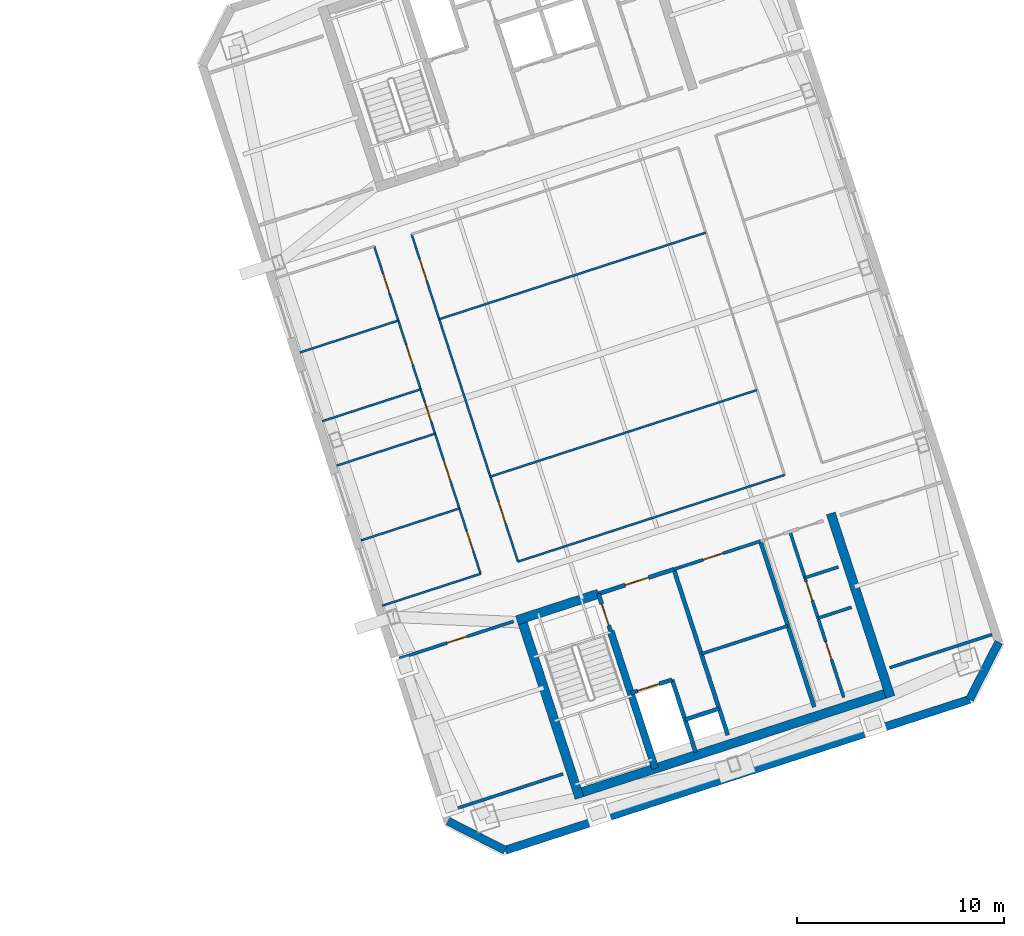
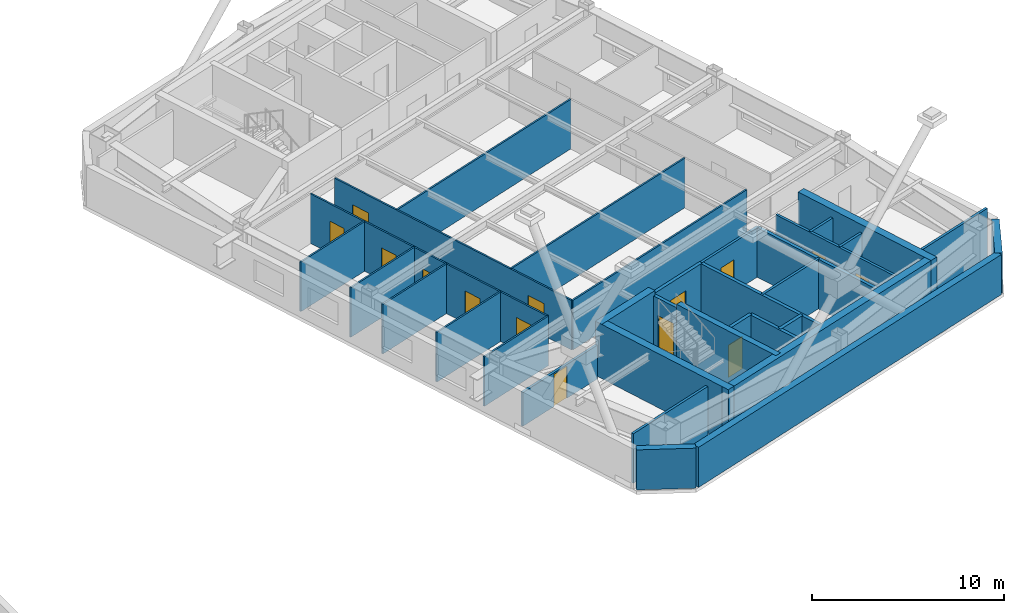
# One storey, part 9 of 15: 33 walls, 14 doors, 14 openings.
"""IFC4 building model written with IfcOpenShell, lengths in metres."""

from ifc_helpers import new_model, si_unit, direction, frame, frame_2d, origin, place, context, subcontext, project, spatial, rectangle, extrude, material, layer, layer_set, type_object, element, fill, save


model = new_model("IFC4")

# Units and contexts
model_context = context("Model", 3, precision=1e-05, world=origin(), true_north=direction((0.0, 1.0)))
body_context = subcontext(model_context, "Body", "Model", "MODEL_VIEW")
ifc_project = project(units=[si_unit("LENGTHUNIT", "METRE"), si_unit("AREAUNIT", "SQUARE_METRE"), si_unit("VOLUMEUNIT", "CUBIC_METRE"), si_unit("PLANEANGLEUNIT", "RADIAN"), si_unit("MASSUNIT", "GRAM", prefix="KILO")], contexts=[model_context])

# Site, building, storey
site_placement = place(None, origin())
site = spatial("IfcSite", under=ifc_project, at=site_placement, CompositionType="ELEMENT")
building_placement = place(site_placement, origin())
building = spatial("IfcBuilding", under=site, at=building_placement, Name="Qiaolan Cultural Towers", CompositionType="ELEMENT")
storey_placement = place(building_placement, frame((0.0, 0.0, 212.75)))
storey = spatial("IfcBuildingStorey", under=building, at=storey_placement, Name="L57", CompositionType="ELEMENT", Elevation=212.75)

# Walls
ifc_material_1 = material(Name="Concrete C50", Category="concrete")
ifc_layer_1 = layer(ifc_material_1, 0.35009765625)
ifc_layer_set_1 = layer_set([ifc_layer_1], Name="Concrete C50")
wall_type_1 = type_object("IfcWallType", Name="WL-CORE-350", PredefinedType="SHEAR", material=ifc_layer_set_1)
wall_1_placement = place(storey_placement, frame((90.486328125, 20.59423828125, 0.0), z_axis=(0.0, 0.0, 1.0), x_axis=(0.309020428229, -0.951055400562, 0.0)))
element("IfcWall", 1, at=wall_1_placement, inside=storey, type_object=wall_type_1, Name="L57 T2-CS Stair Core Dividing Web", PredefinedType="SHEAR", context=body_context, shape_type="SweptSolid", body=[
    extrude(rectangle(XDim=6.97998046875, YDim=0.35009765625, at=frame_2d((3.489990234375, 0.0))), origin(), (0.0, 0.0, 1.0), 3.449951171875),
])
ifc_material_2 = material(Name="Concrete C50", Category="concrete")
ifc_layer_2 = layer(ifc_material_2, 0.449951171875)
ifc_layer_set_2 = layer_set([ifc_layer_2], Name="Concrete C50")
wall_type_2 = type_object("IfcWallType", Name="WL-CORE-450", PredefinedType="SHEAR", material=ifc_layer_set_2)
wall_2_placement = place(storey_placement, frame((88.701171875, 12.675048828125, 0.0), z_axis=(0.0, 0.0, 1.0), x_axis=(0.95105824505, 0.309011673763, 0.0)))
element("IfcWall", 2, at=wall_2_placement, inside=storey, type_object=wall_type_2, Name="L57 T2-CS Outer Core Shear Wall", PredefinedType="SHEAR", context=body_context, shape_type="SweptSolid", body=[
    extrude(rectangle(XDim=16.250244140625, YDim=0.449951171875, at=frame_2d((8.125, 0.0))), origin(), (0.0, 0.0, 1.0), 3.449951171875),
])
for number, where, z_axis, x_axis, name in (
    (3, (86.1015625, 21.40380859375, 0.0), (0.0, 0.0, 1.0), (0.309035778627, -0.951050412717, 0.0), "L57 T2-CS West Core Shear Wall"),
    (4, (101.12841796875, 26.286376953125, 0.0), (0.0, 0.0, 1.0), (0.309004419953, -0.951060601881, 0.0), "L57 T2-CS East Core Shear Wall"),
):
    element("IfcWall", number, at=place(storey_placement, frame(where, z_axis=z_axis, x_axis=x_axis)), inside=storey, type_object=wall_type_2, Name=name, PredefinedType="SHEAR", context=body_context, shape_type="SweptSolid", body=[
        extrude(rectangle(XDim=9.330078125, YDim=0.449951171875, at=frame_2d((4.6650390625, 0.0))), origin(), (0.0, 0.0, 1.0), 3.449951171875),
    ])
wall_3_placement = place(storey_placement, frame((85.957275390625, 21.120361328125, 0.0), z_axis=(0.0, 0.0, 1.0), x_axis=(0.951064796122, 0.308991510526, 0.0)))
element("IfcWall", 5, at=wall_3_placement, inside=storey, type_object=wall_type_2, Name="L57 T2-CS Stair Front Shear Wall", PredefinedType="SHEAR", context=body_context, shape_type="SweptSolid", body=[
    extrude(rectangle(XDim=4.14501953125, YDim=0.449951171875, at=frame_2d((2.072509765625, 0.0))), origin(), (0.0, 0.0, 1.0), 3.449951171875),
])
ifc_material_3 = material(Name="Precast Concrete C50 Honed Stone Pier", Category="masonry")
ifc_layer_3 = layer(ifc_material_3, 0.39990234375)
ifc_layer_set_3 = layer_set([ifc_layer_3], Name="Precast Concrete C50 Honed Stone Pier")
wall_type_3 = type_object("IfcWallType", Name="WL-EXT-PIER-400", PredefinedType="SOLIDWALL", material=ifc_layer_set_3)
wall_4_placement = place(storey_placement, frame((109.247802734375, 20.06591796875, 0.0), z_axis=(0.0, 0.0, 1.0), x_axis=(-0.453949291228, -0.891027519774, 0.0)))
element("IfcWall", 6, at=wall_4_placement, inside=storey, type_object=wall_type_3, Name="L57 East Tower Precast Pier Facade Wall F6", PredefinedType="SOLIDWALL", context=body_context, shape_type="SweptSolid", body=[
    extrude(rectangle(XDim=3.111328125, YDim=0.39990234375, at=frame_2d((1.5556640625, 0.0))), origin(), (0.0, 0.0, 1.0), 2.550048828125),
])
wall_5_placement = place(storey_placement, frame((107.83544921875, 17.293701171875, 0.0), z_axis=(0.0, 0.0, 1.0), x_axis=(-0.951058012937, -0.309012388148, 0.0)))
element("IfcWall", 7, at=wall_5_placement, inside=storey, type_object=wall_type_3, Name="L57 East Tower Precast Pier Facade Wall F7", PredefinedType="SOLIDWALL", context=body_context, shape_type="SweptSolid", body=[
    extrude(rectangle(XDim=23.60009765625, YDim=0.39990234375, at=frame_2d((11.800048828125, 0.0))), origin(), (0.0, 0.0, 1.0), 2.550048828125),
])
wall_6_placement = place(storey_placement, frame((85.390380859375, 10.0009765625, 0.0), z_axis=(0.0, 0.0, 1.0), x_axis=(-0.890979603174, 0.454043331334, 0.0)))
element("IfcWall", 8, at=wall_6_placement, inside=storey, type_object=wall_type_3, Name="L57 East Tower Precast Pier Facade Wall F8", PredefinedType="SOLIDWALL", context=body_context, shape_type="SweptSolid", body=[
    extrude(rectangle(XDim=3.111083984375, YDim=0.39990234375, at=frame_2d((1.5556640625, 0.0))), origin(), (0.0, 0.0, 1.0), 2.550048828125),
])

# Wall, opening, door
ifc_material_4 = material(Name="Concrete C35 Fire Wall", Category="concrete")
ifc_layer_4 = layer(ifc_material_4, 0.199951171875)
ifc_layer_set_4 = layer_set([ifc_layer_4], Name="Concrete C35 Fire Wall")
wall_type_4 = type_object("IfcWallType", Name="WL-FIRE-200", PredefinedType="PARTITIONING", material=ifc_layer_set_4)
wall_7_placement = place(storey_placement, frame((89.8994140625, 22.401123046875, 0.0), z_axis=(0.0, 0.0, 1.0), x_axis=(0.308932062672, -0.951084108086, 0.0)))
wall_7 = element("IfcWall", 9, at=wall_7_placement, inside=storey, type_object=wall_type_4, Name="L57 T2-CS Smokeproof Stair Entry Wall", PredefinedType="PARTITIONING", context=body_context, shape_type="SweptSolid", body=[
    extrude(rectangle(XDim=1.89990234375, YDim=0.199951171875, at=frame_2d((0.949951171875, 0.0))), origin(), (0.0, 0.0, 1.0), 3.155029296875),
])
opening_1_placement = place(wall_7_placement, frame((0.52001953125, 0.0, 0.0)))
opening_1 = element("IfcOpeningElement", 10, at=opening_1_placement, cuts=wall_7, Name="Opening FD-04", PredefinedType="OPENING", context=body_context, shape_type="SweptSolid", body=[
    extrude(rectangle(XDim=1.10009765625, YDim=2.050048828125, at=frame_2d((0.550048828125, 1.02490234375))), frame((0.0, 0.10986328125, 0.0), z_axis=(0.0, -1.0, 0.0), x_axis=(1.0, 0.0, 0.0)), (0.0, 0.0, 1.0), 0.219970703125),
])
ifc_material_5 = material(Name="Galvanized Steel Command Fire Door", Category="steel")
door_type_1 = type_object("IfcDoorType", Name="DR-FD90-1100", OperationType="NOTDEFINED", PredefinedType="DOOR", material=ifc_material_5)
door_1_placement = place(opening_1_placement, origin())
door_1 = element("IfcDoor", 11, at=door_1_placement, inside=storey, type_object=door_type_1, Name="L57 ST-E1 Smokeproof Stair Fire Door", OperationType="SINGLE_SWING_LEFT", OverallHeight=2.050048828125, OverallWidth=1.10009765625, PredefinedType="DOOR", context=body_context, shape_type="SweptSolid", body=[
    extrude(rectangle(XDim=1.10009765625, YDim=2.050048828125, at=frame_2d((0.550048828125, 1.02490234375))), frame((0.0, 0.02490234375, 0.0), z_axis=(0.0, -1.0, 0.0), x_axis=(1.0, 0.0, 0.0)), (0.0, 0.0, 1.0), 0.050048828125),
])
fill(opening_1, door_1)

# Wall
wall_8_placement = place(storey_placement, frame((93.541748046875, 23.584716796875, 0.0), z_axis=(0.0, 0.0, 1.0), x_axis=(0.309042196757, -0.951048327176, 0.0)))
element("IfcWall", 12, at=wall_8_placement, inside=storey, type_object=wall_type_4, Name="L57 T2-CS Firefighting Zone Wall", PredefinedType="PARTITIONING", context=body_context, shape_type="SweptSolid", body=[
    extrude(rectangle(XDim=8.429931640625, YDim=0.199951171875, at=frame_2d((4.21484375, 0.0))), origin(), (0.0, 0.0, 1.0), 3.155029296875),
])

# Wall, opening, door
wall_9_placement = place(storey_placement, frame((89.8994140625, 22.401123046875, 0.0), z_axis=(0.0, 0.0, 1.0), x_axis=(0.951046716504, 0.309047153403, 0.0)))
wall_9 = element("IfcWall", 13, at=wall_9_placement, inside=storey, type_object=wall_type_4, Name="L57 T2-CS Firefighting Lobby Front Wall", PredefinedType="PARTITIONING", context=body_context, shape_type="SweptSolid", body=[
    extrude(rectangle(XDim=3.829833984375, YDim=0.199951171875, at=frame_2d((1.9150390625, 0.0))), origin(), (0.0, 0.0, 1.0), 3.155029296875),
])
opening_2_placement = place(wall_9_placement, frame((1.35009765625, 0.0, 0.0)))
opening_2 = element("IfcOpeningElement", 14, at=opening_2_placement, cuts=wall_9, Name="Opening FD-03", PredefinedType="OPENING", context=body_context, shape_type="SweptSolid", body=[
    extrude(rectangle(XDim=1.199951171875, YDim=2.050048828125, at=frame_2d((0.60009765625, 1.02490234375))), frame((0.0, 0.10986328125, 0.0), z_axis=(0.0, -1.0, 0.0), x_axis=(1.0, 0.0, 0.0)), (0.0, 0.0, 1.0), 0.219970703125),
])
ifc_material_6 = material(Name="Galvanized Steel Smokeproof Lobby Fire Door", Category="steel")
door_type_2 = type_object("IfcDoorType", Name="DR-FD90-1200", OperationType="NOTDEFINED", PredefinedType="DOOR", material=ifc_material_6)
door_2_placement = place(opening_2_placement, origin())
door_2 = element("IfcDoor", 15, at=door_2_placement, inside=storey, type_object=door_type_2, Name="L57 FFL-E1 Firefighting Lobby Fire Door", OperationType="SINGLE_SWING_LEFT", OverallHeight=2.050048828125, OverallWidth=1.199951171875, PredefinedType="DOOR", context=body_context, shape_type="SweptSolid", body=[
    extrude(rectangle(XDim=1.199951171875, YDim=2.050048828125, at=frame_2d((0.60009765625, 1.02490234375))), frame((0.0, 0.02490234375, 0.0), z_axis=(0.0, -1.0, 0.0), x_axis=(1.0, 0.0, 0.0)), (0.0, 0.0, 1.0), 0.050048828125),
])
fill(opening_2, door_2)

wall_10_placement = place(storey_placement, frame((91.459716796875, 17.598388671875, 0.0), z_axis=(0.0, 0.0, 1.0), x_axis=(0.951062257173, 0.308999325213, 0.0)))
wall_10 = element("IfcWall", 16, at=wall_10_placement, inside=storey, type_object=wall_type_4, Name="L57 T2-CS Firefighting Shaft Front Wall", PredefinedType="PARTITIONING", context=body_context, shape_type="SweptSolid", body=[
    extrude(rectangle(XDim=2.10009765625, YDim=0.199951171875, at=frame_2d((1.050048828125, 0.0))), origin(), (0.0, 0.0, 1.0), 3.155029296875),
])
opening_3_placement = place(wall_10_placement, frame((0.35009765625, 0.0, 0.0)))
opening_3 = element("IfcOpeningElement", 17, at=opening_3_placement, cuts=wall_10, Name="Opening LD-01", PredefinedType="OPENING", context=body_context, shape_type="SweptSolid", body=[
    extrude(rectangle(XDim=1.10009765625, YDim=2.050048828125, at=frame_2d((0.550048828125, 1.02490234375))), frame((0.0, 0.10986328125, 0.0), z_axis=(0.0, -1.0, 0.0), x_axis=(1.0, 0.0, 0.0)), (0.0, 0.0, 1.0), 0.219970703125),
])
ifc_material_7 = material(Name="Brushed Stainless Steel S30408 Centre-Parting Lift Landing Door", Category="steel")
door_type_3 = type_object("IfcDoorType", Name="DR-LIFT-1100", OperationType="NOTDEFINED", PredefinedType="DOOR", material=ifc_material_7)
door_3_placement = place(opening_3_placement, origin())
door_3 = element("IfcDoor", 18, at=door_3_placement, inside=storey, type_object=door_type_3, Name="L57 FFL-E1 Firefighting Lift Landing Door", OperationType="DOUBLE_DOOR_SLIDING", OverallHeight=2.050048828125, OverallWidth=1.10009765625, PredefinedType="DOOR", context=body_context, shape_type="SweptSolid", body=[
    extrude(rectangle(XDim=1.10009765625, YDim=2.050048828125, at=frame_2d((0.550048828125, 1.02490234375))), frame((0.0, 0.02490234375, 0.0), z_axis=(0.0, -1.0, 0.0), x_axis=(1.0, 0.0, 0.0)), (0.0, 0.0, 1.0), 0.050048828125),
])
fill(opening_3, door_3)

# Walls
wall_11_placement = place(storey_placement, frame((93.45703125, 18.247314453125, 0.0), z_axis=(0.0, 0.0, 1.0), x_axis=(0.3089935693, -0.951064127245, 0.0)))
element("IfcWall", 19, at=wall_11_placement, inside=storey, type_object=wall_type_4, Name="L57 T2-CS Firefighting Hoistway East Wall", PredefinedType="PARTITIONING", context=body_context, shape_type="SweptSolid", body=[
    extrude(rectangle(XDim=3.7001953125, YDim=0.199951171875, at=frame_2d((1.85009765625, 0.0))), origin(), (0.0, 0.0, 1.0), 3.155029296875),
])
wall_12_placement = place(storey_placement, frame((94.08447265625, 16.316650390625, 0.0), z_axis=(0.0, 0.0, 1.0), x_axis=(0.951041328149, 0.309063734775, 0.0)))
element("IfcWall", 20, at=wall_12_placement, inside=storey, type_object=wall_type_4, Name="L57 T2-CS Pressurization Shaft Front Wall", PredefinedType="PARTITIONING", context=body_context, shape_type="SweptSolid", body=[
    extrude(rectangle(XDim=1.72998046875, YDim=0.199951171875, at=frame_2d((0.864990234375, 0.0))), origin(), (0.0, 0.0, 1.0), 3.155029296875),
])
wall_13_placement = place(storey_placement, frame((97.7265625, 24.9443359375, 0.0), z_axis=(0.0, 0.0, 1.0), x_axis=(0.309016001439, -0.951056838919, 0.0)))
element("IfcWall", 21, at=wall_13_placement, inside=storey, type_object=wall_type_4, Name="L57 T2-CS Lift Core East Wall", PredefinedType="PARTITIONING", context=body_context, shape_type="SweptSolid", body=[
    extrude(rectangle(XDim=8.429931640625, YDim=0.199951171875, at=frame_2d((4.21484375, 0.0))), origin(), (0.0, 0.0, 1.0), 3.155029296875),
])
ifc_material_8 = material(Name="Acoustic Double-Glazed Partition Frame", Category="glass")
ifc_layer_5 = layer(ifc_material_8, 0.10009765625)
ifc_layer_set_5 = layer_set([ifc_layer_5], Name="Acoustic Double-Glazed Partition Frame")
wall_type_5 = type_object("IfcWallType", Name="WL-GLAZED-100", PredefinedType="MOVABLE", material=ifc_layer_set_5)
wall_14_placement = place(storey_placement, frame((79.446533203125, 21.82275390625, 0.0), z_axis=(0.0, 0.0, 1.0), x_axis=(0.951048779938, 0.309040803421, 0.0)))
element("IfcWall", 22, at=wall_14_placement, inside=storey, type_object=wall_type_5, Name="L57 T2 Interior Wall", PredefinedType="MOVABLE", context=body_context, shape_type="SweptSolid", body=[
    extrude(rectangle(XDim=4.999755859375, YDim=0.10009765625, at=frame_2d((2.5, 0.0))), origin(), (0.0, 0.0, 1.0), 3.155029296875),
])
wall_15_placement = place(storey_placement, frame((86.0087890625, 23.955078125, 0.0), z_axis=(0.0, 0.0, 1.0), x_axis=(0.951059488241, 0.309007847517, 0.0)))
element("IfcWall", 23, at=wall_15_placement, inside=storey, type_object=wall_type_5, Name="L57 T2 Interior Wall", PredefinedType="MOVABLE", context=body_context, shape_type="SweptSolid", body=[
    extrude(rectangle(XDim=13.5498046875, YDim=0.10009765625, at=frame_2d((6.77490234375, 0.0))), origin(), (0.0, 0.0, 1.0), 3.155029296875),
])

# Wall, openings, doors
wall_16_placement = place(storey_placement, frame((84.20166015625, 23.367919921875, 0.0), z_axis=(0.0, 0.0, 1.0), x_axis=(-0.309022042254, 0.951054876125, 0.0)))
wall_16 = element("IfcWall", 24, at=wall_16_placement, inside=storey, type_object=wall_type_5, Name="L57 T2 Interior Wall", PredefinedType="MOVABLE", context=body_context, shape_type="SweptSolid", body=[
    extrude(rectangle(XDim=16.639892578125, YDim=0.10009765625, at=frame_2d((8.31982421875, 0.0))), origin(), (0.0, 0.0, 1.0), 3.155029296875),
])
opening_4_placement = place(wall_16_placement, frame((1.159912109375, 0.0, 0.0)))
opening_4 = element("IfcOpeningElement", 25, at=opening_4_placement, cuts=wall_16, Name="Opening ID-04", PredefinedType="OPENING", context=body_context, shape_type="SweptSolid", body=[
    extrude(rectangle(XDim=1.0, YDim=2.050048828125, at=frame_2d((0.5, 1.02490234375))), frame((0.0, 0.06005859375, 0.0), z_axis=(0.0, -1.0, 0.0), x_axis=(1.0, 0.0, 0.0)), (0.0, 0.0, 1.0), 0.1201171875),
])
opening_5_placement = place(wall_16_placement, frame((4.719970703125, 0.0, 0.0)))
opening_5 = element("IfcOpeningElement", 26, at=opening_5_placement, cuts=wall_16, Name="Opening ID-07", PredefinedType="OPENING", context=body_context, shape_type="SweptSolid", body=[
    extrude(rectangle(XDim=1.050048828125, YDim=2.050048828125, at=frame_2d((0.52490234375, 1.02490234375))), frame((0.0, 0.06005859375, 0.0), z_axis=(0.0, -1.0, 0.0), x_axis=(1.0, 0.0, 0.0)), (0.0, 0.0, 1.0), 0.1201171875),
])
opening_6_placement = place(wall_16_placement, frame((7.748046875, 0.0, 0.0)))
opening_6 = element("IfcOpeningElement", 27, at=opening_6_placement, cuts=wall_16, Name="Opening ID-04", PredefinedType="OPENING", context=body_context, shape_type="SweptSolid", body=[
    extrude(rectangle(XDim=1.0, YDim=2.050048828125, at=frame_2d((0.5, 1.02490234375))), frame((0.0, 0.06005859375, 0.0), z_axis=(0.0, -1.0, 0.0), x_axis=(1.0, 0.0, 0.0)), (0.0, 0.0, 1.0), 0.1201171875),
])
opening_7_placement = place(wall_16_placement, frame((10.623291015625, 0.0, 0.0)))
opening_7 = element("IfcOpeningElement", 28, at=opening_7_placement, cuts=wall_16, Name="Opening ID-04", PredefinedType="OPENING", context=body_context, shape_type="SweptSolid", body=[
    extrude(rectangle(XDim=1.0, YDim=2.050048828125, at=frame_2d((0.5, 1.02490234375))), frame((0.0, 0.06005859375, 0.0), z_axis=(0.0, -1.0, 0.0), x_axis=(1.0, 0.0, 0.0)), (0.0, 0.0, 1.0), 0.1201171875),
])
opening_8_placement = place(wall_16_placement, frame((14.25537109375, 0.0, 0.0)))
opening_8 = element("IfcOpeningElement", 29, at=opening_8_placement, cuts=wall_16, Name="Opening ID-04", PredefinedType="OPENING", context=body_context, shape_type="SweptSolid", body=[
    extrude(rectangle(XDim=1.0, YDim=2.050048828125, at=frame_2d((0.5, 1.02490234375))), frame((0.0, 0.06005859375, 0.0), z_axis=(0.0, -1.0, 0.0), x_axis=(1.0, 0.0, 0.0)), (0.0, 0.0, 1.0), 0.1201171875),
])
ifc_material_9 = material(Name="Oak Veneer Acoustic Office Door", Category="timber")
door_type_4 = type_object("IfcDoorType", Name="DR-INT-1000", OperationType="NOTDEFINED", PredefinedType="DOOR", material=ifc_material_9)
door_4_placement = place(opening_4_placement, origin())
door_4 = element("IfcDoor", 30, at=door_4_placement, inside=storey, type_object=door_type_4, Name="L57 T2 Wellness & Meditation Room Door", OperationType="SINGLE_SWING_LEFT", OverallHeight=2.050048828125, OverallWidth=1.0, PredefinedType="DOOR", context=body_context, shape_type="SweptSolid", body=[
    extrude(rectangle(XDim=1.0, YDim=2.050048828125, at=frame_2d((0.5, 1.02490234375))), frame((0.0, 0.02490234375, 0.0), z_axis=(0.0, -1.0, 0.0), x_axis=(1.0, 0.0, 0.0)), (0.0, 0.0, 1.0), 0.050048828125),
])
fill(opening_4, door_4)
door_5_placement = place(opening_6_placement, origin())
door_5 = element("IfcDoor", 31, at=door_5_placement, inside=storey, type_object=door_type_4, Name="L57 T2 Tea Preparation Room Door", OperationType="SINGLE_SWING_LEFT", OverallHeight=2.050048828125, OverallWidth=1.0, PredefinedType="DOOR", context=body_context, shape_type="SweptSolid", body=[
    extrude(rectangle(XDim=1.0, YDim=2.050048828125, at=frame_2d((0.5, 1.02490234375))), frame((0.0, 0.02490234375, 0.0), z_axis=(0.0, -1.0, 0.0), x_axis=(1.0, 0.0, 0.0)), (0.0, 0.0, 1.0), 0.050048828125),
])
fill(opening_6, door_5)
door_6_placement = place(opening_7_placement, origin())
door_6 = element("IfcDoor", 32, at=door_6_placement, inside=storey, type_object=door_type_4, Name="L57 T2 Tea Preparation Room Door", OperationType="SINGLE_SWING_RIGHT", OverallHeight=2.050048828125, OverallWidth=1.0, PredefinedType="DOOR", context=body_context, shape_type="SweptSolid", body=[
    extrude(rectangle(XDim=1.0, YDim=2.050048828125, at=frame_2d((0.5, 1.02490234375))), frame((0.0, 0.02490234375, 0.0), z_axis=(0.0, -1.0, 0.0), x_axis=(1.0, 0.0, 0.0)), (0.0, 0.0, 1.0), 0.050048828125),
])
fill(opening_7, door_6)
door_7_placement = place(opening_8_placement, origin())
door_7 = element("IfcDoor", 33, at=door_7_placement, inside=storey, type_object=door_type_4, Name="L57 T2 Quiet Lounge Door", OperationType="SINGLE_SWING_LEFT", OverallHeight=2.050048828125, OverallWidth=1.0, PredefinedType="DOOR", context=body_context, shape_type="SweptSolid", body=[
    extrude(rectangle(XDim=1.0, YDim=2.050048828125, at=frame_2d((0.5, 1.02490234375))), frame((0.0, 0.02490234375, 0.0), z_axis=(0.0, -1.0, 0.0), x_axis=(1.0, 0.0, 0.0)), (0.0, 0.0, 1.0), 0.050048828125),
])
fill(opening_8, door_7)
ifc_material_10 = material(Name="Oak Veneer Consultation Door", Category="timber")
door_type_5 = type_object("IfcDoorType", Name="DR-INT-1050", OperationType="NOTDEFINED", PredefinedType="DOOR", material=ifc_material_10)
door_8_placement = place(opening_5_placement, origin())
door_8 = element("IfcDoor", 34, at=door_8_placement, inside=storey, type_object=door_type_5, Name="L57 T2 Wellness & Meditation Room Door", OperationType="SINGLE_SWING_RIGHT", OverallHeight=2.050048828125, OverallWidth=1.050048828125, PredefinedType="DOOR", context=body_context, shape_type="SweptSolid", body=[
    extrude(rectangle(XDim=1.050048828125, YDim=2.050048828125, at=frame_2d((0.52490234375, 1.02490234375))), frame((0.0, 0.02490234375, 0.0), z_axis=(0.0, -1.0, 0.0), x_axis=(1.0, 0.0, 0.0)), (0.0, 0.0, 1.0), 0.050048828125),
])
fill(opening_5, door_8)

wall_17_placement = place(storey_placement, frame((86.0087890625, 23.955078125, 0.0), z_axis=(0.0, 0.0, 1.0), x_axis=(-0.309022042254, 0.951054876125, 0.0)))
wall_17 = element("IfcWall", 35, at=wall_17_placement, inside=storey, type_object=wall_type_5, Name="L57 T2 Interior Wall", PredefinedType="MOVABLE", context=body_context, shape_type="SweptSolid", body=[
    extrude(rectangle(XDim=16.639892578125, YDim=0.10009765625, at=frame_2d((8.31982421875, 0.0))), origin(), (0.0, 0.0, 1.0), 3.155029296875),
])
opening_9_placement = place(wall_17_placement, frame((1.944091796875, 0.0, 0.0)))
opening_9 = element("IfcOpeningElement", 36, at=opening_9_placement, cuts=wall_17, Name="Opening ID-03", PredefinedType="OPENING", context=body_context, shape_type="SweptSolid", body=[
    extrude(rectangle(XDim=1.10009765625, YDim=2.050048828125, at=frame_2d((0.550048828125, 1.02490234375))), frame((0.0, 0.06005859375, 0.0), z_axis=(0.0, -1.0, 0.0), x_axis=(1.0, 0.0, 0.0)), (0.0, 0.0, 1.0), 0.1201171875),
])
opening_10_placement = place(wall_17_placement, frame((14.263916015625, 0.0, 0.0)))
opening_10 = element("IfcOpeningElement", 37, at=opening_10_placement, cuts=wall_17, Name="Opening ID-03", PredefinedType="OPENING", context=body_context, shape_type="SweptSolid", body=[
    extrude(rectangle(XDim=1.10009765625, YDim=2.050048828125, at=frame_2d((0.550048828125, 1.02490234375))), frame((0.0, 0.06005859375, 0.0), z_axis=(0.0, -1.0, 0.0), x_axis=(1.0, 0.0, 0.0)), (0.0, 0.0, 1.0), 0.1201171875),
])
ifc_material_11 = material(Name="Oak Veneer Solid-Core Boardroom Door", Category="timber")
door_type_6 = type_object("IfcDoorType", Name="DR-INT-1100", OperationType="NOTDEFINED", PredefinedType="DOOR", material=ifc_material_11)
door_9_placement = place(opening_9_placement, origin())
door_9 = element("IfcDoor", 38, at=door_9_placement, inside=storey, type_object=door_type_6, Name="L57 T2 Central Boardroom Door", OperationType="SINGLE_SWING_LEFT", OverallHeight=2.050048828125, OverallWidth=1.10009765625, PredefinedType="DOOR", context=body_context, shape_type="SweptSolid", body=[
    extrude(rectangle(XDim=1.10009765625, YDim=2.050048828125, at=frame_2d((0.550048828125, 1.02490234375))), frame((0.0, 0.02490234375, 0.0), z_axis=(0.0, -1.0, 0.0), x_axis=(1.0, 0.0, 0.0)), (0.0, 0.0, 1.0), 0.050048828125),
])
fill(opening_9, door_9)
door_10_placement = place(opening_10_placement, origin())
door_10 = element("IfcDoor", 39, at=door_10_placement, inside=storey, type_object=door_type_6, Name="L57 T2 Central Archive Room Door", OperationType="SINGLE_SWING_RIGHT", OverallHeight=2.050048828125, OverallWidth=1.10009765625, PredefinedType="DOOR", context=body_context, shape_type="SweptSolid", body=[
    extrude(rectangle(XDim=1.10009765625, YDim=2.050048828125, at=frame_2d((0.550048828125, 1.02490234375))), frame((0.0, 0.02490234375, 0.0), z_axis=(0.0, -1.0, 0.0), x_axis=(1.0, 0.0, 0.0)), (0.0, 0.0, 1.0), 0.050048828125),
])
fill(opening_10, door_10)

# Walls
wall_18_placement = place(storey_placement, frame((84.673828125, 28.0634765625, 0.0), z_axis=(0.0, 0.0, 1.0), x_axis=(0.951054192928, 0.309024144872, 0.0)))
element("IfcWall", 40, at=wall_18_placement, inside=storey, type_object=wall_type_5, Name="L57 T2 Interior Wall", PredefinedType="MOVABLE", context=body_context, shape_type="SweptSolid", body=[
    extrude(rectangle(XDim=13.550048828125, YDim=0.10009765625, at=frame_2d((6.77490234375, 0.0))), origin(), (0.0, 0.0, 1.0), 3.155029296875),
])
wall_19_placement = place(storey_placement, frame((82.20166015625, 35.672119140625, 0.0), z_axis=(0.0, 0.0, 1.0), x_axis=(0.951059488241, 0.309007847517, 0.0)))
element("IfcWall", 41, at=wall_19_placement, inside=storey, type_object=wall_type_5, Name="L57 T2 Interior Wall", PredefinedType="MOVABLE", context=body_context, shape_type="SweptSolid", body=[
    extrude(rectangle(XDim=13.5498046875, YDim=0.10009765625, at=frame_2d((6.77490234375, 0.0))), origin(), (0.0, 0.0, 1.0), 3.155029296875),
])
wall_20_placement = place(storey_placement, frame((78.42041015625, 24.980224609375, 0.0), z_axis=(0.0, 0.0, 1.0), x_axis=(0.951053443117, 0.309026452484, 0.0)))
element("IfcWall", 42, at=wall_20_placement, inside=storey, type_object=wall_type_5, Name="L57 T2 Interior Wall", PredefinedType="MOVABLE", context=body_context, shape_type="SweptSolid", body=[
    extrude(rectangle(XDim=5.0, YDim=0.10009765625, at=frame_2d((2.5, 0.0))), origin(), (0.0, 0.0, 1.0), 3.155029296875),
])
for number, where, z_axis, x_axis, name in (
    (43, (77.246337890625, 28.59423828125, 0.0), (0.0, 0.0, 1.0), (0.951048779938, 0.309040803421, 0.0), "L57 T2 Interior Wall"),
    (44, (76.549072265625, 30.739990234375, 0.0), (0.0, 0.0, 1.0), (0.951048779938, 0.309040803421, 0.0), "L57 T2 Interior Wall"),
):
    element("IfcWall", number, at=place(storey_placement, frame(where, z_axis=z_axis, x_axis=x_axis)), inside=storey, type_object=wall_type_5, Name=name, PredefinedType="MOVABLE", context=body_context, shape_type="SweptSolid", body=[
        extrude(rectangle(XDim=4.999755859375, YDim=0.10009765625, at=frame_2d((2.5, 0.0))), origin(), (0.0, 0.0, 1.0), 3.155029296875),
    ])
wall_21_placement = place(storey_placement, frame((75.46923828125, 34.0634765625, 0.0), z_axis=(0.0, 0.0, 1.0), x_axis=(0.951053443117, 0.309026452484, 0.0)))
element("IfcWall", 45, at=wall_21_placement, inside=storey, type_object=wall_type_5, Name="L57 T2 Interior Wall", PredefinedType="MOVABLE", context=body_context, shape_type="SweptSolid", body=[
    extrude(rectangle(XDim=5.0, YDim=0.10009765625, at=frame_2d((2.5, 0.0))), origin(), (0.0, 0.0, 1.0), 3.155029296875),
])

# Wall, opening, door
ifc_material_12 = material(Name="Autoclaved Aerated Concrete Block B06", Category="concrete")
ifc_layer_6 = layer(ifc_material_12, 0.14990234375)
ifc_layer_set_6 = layer_set([ifc_layer_6], Name="Autoclaved Aerated Concrete Block B06")
wall_type_6 = type_object("IfcWallType", Name="WL-PART-150", PredefinedType="PARTITIONING", material=ifc_layer_set_6)
wall_22_placement = place(storey_placement, frame((93.541748046875, 23.584716796875, 0.0), z_axis=(0.0, 0.0, 1.0), x_axis=(0.951063829732, 0.308994485023, 0.0)))
wall_22 = element("IfcWall", 46, at=wall_22_placement, inside=storey, type_object=wall_type_6, Name="L57 T2-CS Reclaimed Core Room Front Wall", PredefinedType="PARTITIONING", context=body_context, shape_type="SweptSolid", body=[
    extrude(rectangle(XDim=4.400146484375, YDim=0.14990234375, at=frame_2d((2.2001953125, 0.0))), origin(), (0.0, 0.0, 1.0), 3.155029296875),
])
opening_11_placement = place(wall_22_placement, frame((1.5, 0.0, 0.0)))
opening_11 = element("IfcOpeningElement", 47, at=opening_11_placement, cuts=wall_22, Name="Opening ID-04", PredefinedType="OPENING", context=body_context, shape_type="SweptSolid", body=[
    extrude(rectangle(XDim=1.0, YDim=2.050048828125, at=frame_2d((0.5, 1.02490234375))), frame((0.0, 0.0849609375, 0.0), z_axis=(0.0, -1.0, 0.0), x_axis=(1.0, 0.0, 0.0)), (0.0, 0.0, 1.0), 0.169921875),
])
door_11_placement = place(opening_11_placement, origin())
door_11 = element("IfcDoor", 48, at=door_11_placement, inside=storey, type_object=door_type_4, Name="L57 Focus Pod Room Door", OperationType="SINGLE_SWING_LEFT", OverallHeight=2.050048828125, OverallWidth=1.0, PredefinedType="DOOR", context=body_context, shape_type="SweptSolid", body=[
    extrude(rectangle(XDim=1.0, YDim=2.050048828125, at=frame_2d((0.5, 1.02490234375))), frame((0.0, 0.02490234375, 0.0), z_axis=(0.0, -1.0, 0.0), x_axis=(1.0, 0.0, 0.0)), (0.0, 0.0, 1.0), 0.050048828125),
])
fill(opening_11, door_11)

# Wall
wall_23_placement = place(storey_placement, frame((94.87060546875, 19.4951171875, 0.0), z_axis=(0.0, 0.0, 1.0), x_axis=(0.951042223598, 0.309060979314, 0.0)))
element("IfcWall", 49, at=wall_23_placement, inside=storey, type_object=wall_type_6, Name="L57 T2-CS Reclaimed Room Subdivider", PredefinedType="PARTITIONING", context=body_context, shape_type="SweptSolid", body=[
    extrude(rectangle(XDim=4.39990234375, YDim=0.14990234375, at=frame_2d((2.199951171875, 0.0))), origin(), (0.0, 0.0, 1.0), 3.155029296875),
])

# Wall, openings, doors
wall_24_placement = place(storey_placement, frame((99.153076171875, 25.407958984375, 0.0), z_axis=(0.0, 0.0, 1.0), x_axis=(0.309016001439, -0.951056838919, 0.0)))
wall_24 = element("IfcWall", 50, at=wall_24_placement, inside=storey, type_object=wall_type_6, Name="L57 T2-CS Sanitary Corridor Wall", PredefinedType="PARTITIONING", context=body_context, shape_type="SweptSolid", body=[
    extrude(rectangle(XDim=8.429931640625, YDim=0.14990234375, at=frame_2d((4.21484375, 0.0))), origin(), (0.0, 0.0, 1.0), 3.155029296875),
])
opening_12_placement = place(wall_24_placement, frame((2.550048828125, 0.0, 0.0)))
opening_12 = element("IfcOpeningElement", 51, at=opening_12_placement, cuts=wall_24, Name="Opening ID-05", PredefinedType="OPENING", context=body_context, shape_type="SweptSolid", body=[
    extrude(rectangle(XDim=0.949951171875, YDim=2.050048828125, at=frame_2d((0.47509765625, 1.02490234375))), frame((0.0, 0.0849609375, 0.0), z_axis=(0.0, -1.0, 0.0), x_axis=(1.0, 0.0, 0.0)), (0.0, 0.0, 1.0), 0.169921875),
])
opening_13_placement = place(wall_24_placement, frame((5.60009765625, 0.0, 0.0)))
opening_13 = element("IfcOpeningElement", 52, at=opening_13_placement, cuts=wall_24, Name="Opening ID-06", PredefinedType="OPENING", context=body_context, shape_type="SweptSolid", body=[
    extrude(rectangle(XDim=0.89990234375, YDim=2.050048828125, at=frame_2d((0.449951171875, 1.02490234375))), frame((0.0, 0.0849609375, 0.0), z_axis=(0.0, -1.0, 0.0), x_axis=(1.0, 0.0, 0.0)), (0.0, 0.0, 1.0), 0.169921875),
])
ifc_material_13 = material(Name="Fire-Rated Laminate Core Service Door", Category="timber")
door_type_7 = type_object("IfcDoorType", Name="DR-INT-900", OperationType="NOTDEFINED", PredefinedType="DOOR", material=ifc_material_13)
door_12_placement = place(opening_13_placement, origin())
door_12 = element("IfcDoor", 53, at=door_12_placement, inside=storey, type_object=door_type_7, Name="L57 Staff Restroom Door", OperationType="SINGLE_SWING_RIGHT", OverallHeight=2.050048828125, OverallWidth=0.89990234375, PredefinedType="DOOR", context=body_context, shape_type="SweptSolid", body=[
    extrude(rectangle(XDim=0.89990234375, YDim=2.050048828125, at=frame_2d((0.449951171875, 1.02490234375))), frame((0.0, 0.02490234375, 0.0), z_axis=(0.0, -1.0, 0.0), x_axis=(1.0, 0.0, 0.0)), (0.0, 0.0, 1.0), 0.050048828125),
])
fill(opening_13, door_12)
ifc_material_14 = material(Name="Fire-Rated Laminate Accessible Core Door", Category="timber")
door_type_8 = type_object("IfcDoorType", Name="DR-INT-950", OperationType="NOTDEFINED", PredefinedType="DOOR", material=ifc_material_14)
door_13_placement = place(opening_12_placement, origin())
door_13 = element("IfcDoor", 54, at=door_13_placement, inside=storey, type_object=door_type_8, Name="L57 Accessible Washroom Door", OperationType="SINGLE_SWING_LEFT", OverallHeight=2.050048828125, OverallWidth=0.949951171875, PredefinedType="DOOR", context=body_context, shape_type="SweptSolid", body=[
    extrude(rectangle(XDim=0.949951171875, YDim=2.050048828125, at=frame_2d((0.47509765625, 1.02490234375))), frame((0.0, 0.02490234375, 0.0), z_axis=(0.0, -1.0, 0.0), x_axis=(1.0, 0.0, 0.0)), (0.0, 0.0, 1.0), 0.050048828125),
])
fill(opening_12, door_13)

# Walls
for number, where, z_axis, x_axis, name in (
    (55, (100.5126953125, 21.223388671875, 0.0), (0.0, 0.0, 1.0), (0.951096313471, 0.308894484414, 0.0), "L57 T2-CS Restroom Split Wall"),
    (56, (99.879150390625, 23.1728515625, 0.0), (0.0, 0.0, 1.0), (0.951054116971, 0.309024378638, 0.0), "L57 T2-CS Core Pantry Wall"),
):
    element("IfcWall", number, at=place(storey_placement, frame(where, z_axis=z_axis, x_axis=x_axis)), inside=storey, type_object=wall_type_6, Name=name, PredefinedType="PARTITIONING", context=body_context, shape_type="SweptSolid", body=[
        extrude(rectangle(XDim=1.7001953125, YDim=0.14990234375, at=frame_2d((0.85009765625, 0.0))), origin(), (0.0, 0.0, 1.0), 3.155029296875),
    ])
wall_25_placement = place(storey_placement, frame((82.66943359375, 11.9033203125, 0.0), z_axis=(0.0, 0.0, 1.0), x_axis=(0.951059431056, 0.309008023519, 0.0)))
element("IfcWall", 57, at=wall_25_placement, inside=storey, type_object=wall_type_6, Name="L57 T2 Flank Wall FLK-SW", PredefinedType="PARTITIONING", context=body_context, shape_type="SweptSolid", body=[
    extrude(rectangle(XDim=5.800048828125, YDim=0.14990234375, at=frame_2d((2.89990234375, 0.0))), origin(), (0.0, 0.0, 1.0), 3.155029296875),
])

# Wall, opening, door
wall_26_placement = place(storey_placement, frame((80.274658203125, 19.27392578125, 0.0), z_axis=(0.0, 0.0, 1.0), x_axis=(0.951059431056, 0.309008023519, 0.0)))
wall_26 = element("IfcWall", 58, at=wall_26_placement, inside=storey, type_object=wall_type_6, Name="L57 T2 Flank Front FLK-SW", PredefinedType="PARTITIONING", context=body_context, shape_type="SweptSolid", body=[
    extrude(rectangle(XDim=5.800048828125, YDim=0.14990234375, at=frame_2d((2.89990234375, 0.0))), origin(), (0.0, 0.0, 1.0), 2.14990234375),
])
opening_14_placement = place(wall_26_placement, frame((2.43603515625, 0.0, 0.0)))
opening_14 = element("IfcOpeningElement", 59, at=opening_14_placement, cuts=wall_26, Name="Opening ID-04", PredefinedType="OPENING", context=body_context, shape_type="SweptSolid", body=[
    extrude(rectangle(XDim=1.0, YDim=2.050048828125, at=frame_2d((0.5, 1.02490234375))), frame((0.0, 0.0849609375, 0.0), z_axis=(0.0, -1.0, 0.0), x_axis=(1.0, 0.0, 0.0)), (0.0, 0.0, 1.0), 0.169921875),
])
door_14_placement = place(opening_14_placement, origin())
door_14 = element("IfcDoor", 60, at=door_14_placement, inside=storey, type_object=door_type_4, Name="L57 T2 Corner Studio Door", OperationType="SINGLE_SWING_LEFT", OverallHeight=2.050048828125, OverallWidth=1.0, PredefinedType="DOOR", context=body_context, shape_type="SweptSolid", body=[
    extrude(rectangle(XDim=1.0, YDim=2.050048828125, at=frame_2d((0.5, 1.02490234375))), frame((0.0, 0.02490234375, 0.0), z_axis=(0.0, -1.0, 0.0), x_axis=(1.0, 0.0, 0.0)), (0.0, 0.0, 1.0), 0.050048828125),
])
fill(opening_14, door_14)

# Wall
wall_27_placement = place(storey_placement, frame((103.97314453125, 18.8251953125, 0.0), z_axis=(0.0, 0.0, 1.0), x_axis=(0.951055112834, 0.309021313752, 0.0)))
element("IfcWall", 61, at=wall_27_placement, inside=storey, type_object=wall_type_6, Name="L57 T2 Flank Wall FLK-SE", PredefinedType="PARTITIONING", context=body_context, shape_type="SweptSolid", body=[
    extrude(rectangle(XDim=5.2001953125, YDim=0.14990234375, at=frame_2d((2.60009765625, 0.0))), origin(), (0.0, 0.0, 1.0), 3.155029296875),
])

save(model, "model.ifc")
